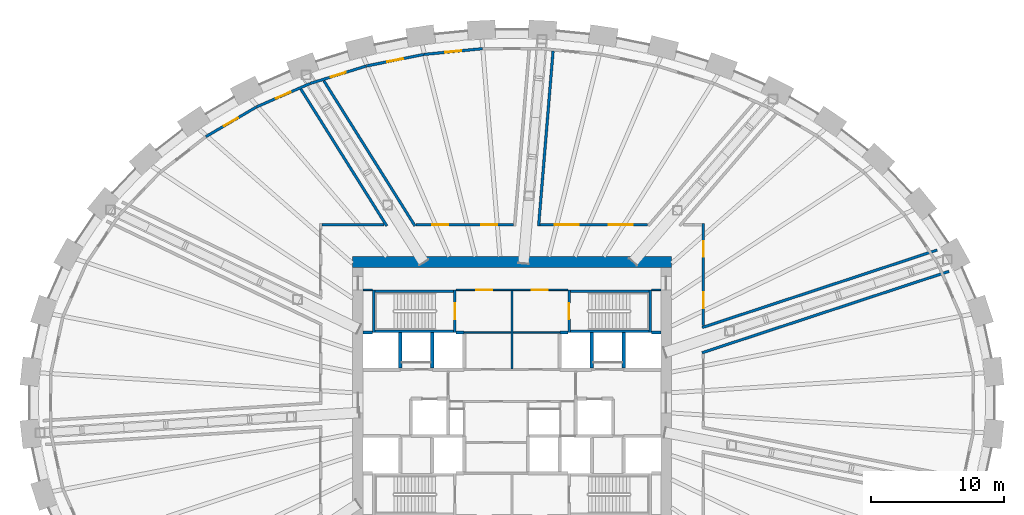
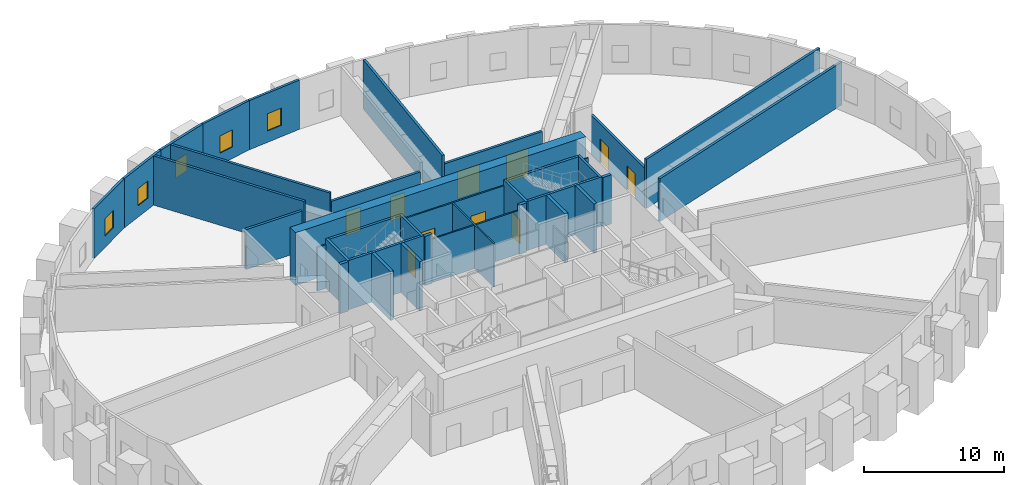
# One storey, part 10 of 13: 36 walls, 10 doors, 5 windows, 15 openings.
"""IFC4 building model written with IfcOpenShell, lengths in metres."""

from ifc_helpers import new_model, si_unit, direction, frame, frame_2d, origin, place, context, subcontext, project, spatial, rectangle, extrude, source, transform, mapped, material, layer, layer_set, type_object, element, fill, save


model = new_model("IFC4")

# Units and contexts
model_context = context("Model", 3, precision=1e-05, world=origin(), true_north=direction((0.0, 1.0)))
body_context = subcontext(model_context, "Body", "Model", "MODEL_VIEW")
ifc_project = project(units=[si_unit("LENGTHUNIT", "METRE"), si_unit("AREAUNIT", "SQUARE_METRE"), si_unit("VOLUMEUNIT", "CUBIC_METRE"), si_unit("PLANEANGLEUNIT", "RADIAN"), si_unit("MASSUNIT", "GRAM", prefix="KILO")], contexts=[model_context])

# Site, building, storey
site_placement = place(None, origin())
site = spatial("IfcSite", under=ifc_project, at=site_placement, CompositionType="ELEMENT")
building_placement = place(site_placement, origin())
building = spatial("IfcBuilding", under=site, at=building_placement, Name="Embergate Tower", CompositionType="ELEMENT")
storey_placement = place(building_placement, frame((0.0, 0.0, 195.0)))
storey = spatial("IfcBuildingStorey", under=building, at=storey_placement, Name="L44", CompositionType="ELEMENT", Elevation=195.0)

# Wall
ifc_material_1 = material(Name="Concrete C70", Category="concrete")
ifc_layer_1 = layer(ifc_material_1, 0.800048828125)
ifc_layer_set_1 = layer_set([ifc_layer_1], Name="Concrete C70")
wall_type_1 = type_object("IfcWallType", Name="Core outer wall C70 800", PredefinedType="SHEAR", material=ifc_layer_set_1)
shared_shape_1 = source(origin(), body_context, "Body", "SweptSolid", [
    extrude(rectangle(XDim=24.0, YDim=0.800048828125, at=frame_2d((12.0, 0.0))), origin(), (0.0, 0.0, 1.0), 4.60009765625),
])
wall_1_placement = place(storey_placement, frame((-12.0, 10.60009765625, -0.300048828125), z_axis=(0.0, 0.0, 1.0), x_axis=(1.0, 0.0, 0.0)))
element("IfcWall", 1, at=wall_1_placement, inside=storey, type_object=wall_type_1, Name="CW-L44-N", PredefinedType="SHEAR", context=body_context, shape_type="MappedRepresentation", body=[
    mapped(shared_shape_1, transform((0.0, 0.0, 0.0))),
])

# Wall, opening, window
ifc_material_2 = material(Name="Terracotta louvre cladding on insulated backing", Category="masonry")
ifc_layer_2 = layer(ifc_material_2, 0.199951171875)
ifc_layer_set_2 = layer_set([ifc_layer_2], Name="Terracotta louvre cladding on insulated backing")
wall_type_2 = type_object("IfcWallType", Name="Terracotta louvre wall", PredefinedType="SOLIDWALL", material=ifc_layer_set_2)
shared_shape_2 = source(origin(), body_context, "Body", "SweptSolid", [
    extrude(rectangle(XDim=4.398193359375, YDim=0.199951171875, at=frame_2d((2.19921875, 0.0))), origin(), (0.0, 0.0, 1.0), 4.300048828125),
])
wall_2_placement = place(storey_placement, frame((-23.043212890625, 20.029541015625, 0.0), z_axis=(0.0, 0.0, 1.0), x_axis=(0.862038363545, 0.506843032681, 0.0)))
wall_2 = element("IfcWall", 2, at=wall_2_placement, inside=storey, type_object=wall_type_2, Name="Louvre wall 16", PredefinedType="SOLIDWALL", context=body_context, shape_type="MappedRepresentation", body=[
    mapped(shared_shape_2, transform((0.0, 0.0, 0.0))),
])
shared_shape_3 = source(origin(), body_context, "Body", "SweptSolid", [
    extrude(rectangle(XDim=1.199951171875, YDim=1.5, at=frame_2d((0.60009765625, 0.75))), frame((0.0, 0.10986328125, 0.0), z_axis=(0.0, -1.0, 0.0), x_axis=(1.0, 0.0, 0.0)), (0.0, 0.0, 1.0), 0.219970703125),
])
opening_1_placement = place(wall_2_placement, frame((1.59912109375, 0.0, 1.0)))
opening_1 = element("IfcOpeningElement", 3, at=opening_1_placement, cuts=wall_2, Name="Opening RW", PredefinedType="OPENING", context=body_context, shape_type="MappedRepresentation", body=[
    mapped(shared_shape_3, transform((0.0, 0.0, 0.0))),
])
ifc_material_3 = material(Name="Aluminium, thermally broken, triple glazed", Category="aluminium")
window_type = type_object("IfcWindowType", Name="Refuge operable window", PartitioningType="SINGLE_PANEL", PredefinedType="WINDOW", material=ifc_material_3)
shared_shape_4 = source(origin(), body_context, "Body", "SweptSolid", [
    extrude(rectangle(XDim=1.199951171875, YDim=1.5, at=frame_2d((0.60009765625, 0.75))), frame((0.0, 0.030029296875, 0.0), z_axis=(0.0, -1.0, 0.0), x_axis=(1.0, 0.0, 0.0)), (0.0, 0.0, 1.0), 0.06005859375),
])
window_1_placement = place(opening_1_placement, origin())
window_1 = element("IfcWindow", 4, at=window_1_placement, inside=storey, type_object=window_type, Name="Refuge window 16", OverallHeight=1.5, OverallWidth=1.199951171875, PartitioningType="SINGLE_PANEL", PredefinedType="WINDOW", context=body_context, shape_type="MappedRepresentation", body=[
    mapped(shared_shape_4, transform((0.0, 0.0, 0.0))),
])
fill(opening_1, window_1)

shared_shape_5 = source(origin(), body_context, "Body", "SweptSolid", [
    extrude(rectangle(XDim=4.402587890625, YDim=0.199951171875, at=frame_2d((2.201171875, 0.0))), origin(), (0.0, 0.0, 1.0), 4.300048828125),
])
wall_3_placement = place(storey_placement, frame((-19.23388671875, 22.267822265625, 0.0), z_axis=(0.0, 0.0, 1.0), x_axis=(0.916226049161, 0.400661736181, 0.0)))
wall_3 = element("IfcWall", 5, at=wall_3_placement, inside=storey, type_object=wall_type_2, Name="Louvre wall 15", PredefinedType="SOLIDWALL", context=body_context, shape_type="MappedRepresentation", body=[
    mapped(shared_shape_5, transform((0.0, 0.0, 0.0))),
])
opening_2_placement = place(wall_3_placement, frame((1.601318359375, 0.0, 1.0)))
opening_2 = element("IfcOpeningElement", 6, at=opening_2_placement, cuts=wall_3, Name="Opening RW", PredefinedType="OPENING", context=body_context, shape_type="MappedRepresentation", body=[
    mapped(shared_shape_3, transform((0.0, 0.0, 0.0))),
])
window_2_placement = place(opening_2_placement, origin())
window_2 = element("IfcWindow", 7, at=window_2_placement, inside=storey, type_object=window_type, Name="Refuge window 15", OverallHeight=1.5, OverallWidth=1.199951171875, PartitioningType="SINGLE_PANEL", PredefinedType="WINDOW", context=body_context, shape_type="MappedRepresentation", body=[
    mapped(shared_shape_4, transform((0.0, 0.0, 0.0))),
])
fill(opening_2, window_2)

shared_shape_6 = source(origin(), body_context, "Body", "SweptSolid", [
    extrude(rectangle(XDim=4.406005859375, YDim=0.199951171875, at=frame_2d((2.203125, 0.0))), origin(), (0.0, 0.0, 1.0), 4.300048828125),
])
wall_4_placement = place(storey_placement, frame((-15.181396484375, 24.038818359375, 0.0), z_axis=(0.0, 0.0, 1.0), x_axis=(0.954774310251, 0.297331492589, 0.0)))
wall_4 = element("IfcWall", 8, at=wall_4_placement, inside=storey, type_object=wall_type_2, Name="Louvre wall 14", PredefinedType="SOLIDWALL", context=body_context, shape_type="MappedRepresentation", body=[
    mapped(shared_shape_6, transform((0.0, 0.0, 0.0))),
])
opening_3_placement = place(wall_4_placement, frame((1.60302734375, 0.0, 1.0)))
opening_3 = element("IfcOpeningElement", 9, at=opening_3_placement, cuts=wall_4, Name="Opening RW", PredefinedType="OPENING", context=body_context, shape_type="MappedRepresentation", body=[
    mapped(shared_shape_3, transform((0.0, 0.0, 0.0))),
])
window_3_placement = place(opening_3_placement, origin())
window_3 = element("IfcWindow", 10, at=window_3_placement, inside=storey, type_object=window_type, Name="Refuge window 14", OverallHeight=1.5, OverallWidth=1.199951171875, PartitioningType="SINGLE_PANEL", PredefinedType="WINDOW", context=body_context, shape_type="MappedRepresentation", body=[
    mapped(shared_shape_4, transform((0.0, 0.0, 0.0))),
])
fill(opening_3, window_3)

shared_shape_7 = source(origin(), body_context, "Body", "SweptSolid", [
    extrude(rectangle(XDim=4.408447265625, YDim=0.199951171875, at=frame_2d((2.2041015625, 0.0))), origin(), (0.0, 0.0, 1.0), 4.300048828125),
])
wall_5_placement = place(storey_placement, frame((-10.955322265625, 25.353759765625, 0.0), z_axis=(0.0, 0.0, 1.0), x_axis=(0.980471892556, 0.196659268553, 0.0)))
wall_5 = element("IfcWall", 11, at=wall_5_placement, inside=storey, type_object=wall_type_2, Name="Louvre wall 13", PredefinedType="SOLIDWALL", context=body_context, shape_type="MappedRepresentation", body=[
    mapped(shared_shape_7, transform((0.0, 0.0, 0.0))),
])
opening_4_placement = place(wall_5_placement, frame((1.60400390625, 0.0, 1.0)))
opening_4 = element("IfcOpeningElement", 12, at=opening_4_placement, cuts=wall_5, Name="Opening RW", PredefinedType="OPENING", context=body_context, shape_type="MappedRepresentation", body=[
    mapped(shared_shape_3, transform((0.0, 0.0, 0.0))),
])
window_4_placement = place(opening_4_placement, origin())
window_4 = element("IfcWindow", 13, at=window_4_placement, inside=storey, type_object=window_type, Name="Refuge window 13", OverallHeight=1.5, OverallWidth=1.199951171875, PartitioningType="SINGLE_PANEL", PredefinedType="WINDOW", context=body_context, shape_type="MappedRepresentation", body=[
    mapped(shared_shape_4, transform((0.0, 0.0, 0.0))),
])
fill(opening_4, window_4)

shared_shape_8 = source(origin(), body_context, "Body", "SweptSolid", [
    extrude(rectangle(XDim=4.40966796875, YDim=0.199951171875, at=frame_2d((2.204833984375, 0.0))), origin(), (0.0, 0.0, 1.0), 4.300048828125),
])
wall_6_placement = place(storey_placement, frame((-6.61328125, 26.2236328125, 0.0), z_axis=(0.0, 0.0, 1.0), x_axis=(0.99520836883, 0.097776799964, 0.0)))
wall_6 = element("IfcWall", 14, at=wall_6_placement, inside=storey, type_object=wall_type_2, Name="Louvre wall 12", PredefinedType="SOLIDWALL", context=body_context, shape_type="MappedRepresentation", body=[
    mapped(shared_shape_8, transform((0.0, 0.0, 0.0))),
])
opening_5_placement = place(wall_6_placement, frame((1.604736328125, 0.0, 1.0)))
opening_5 = element("IfcOpeningElement", 15, at=opening_5_placement, cuts=wall_6, Name="Opening RW", PredefinedType="OPENING", context=body_context, shape_type="MappedRepresentation", body=[
    mapped(shared_shape_3, transform((0.0, 0.0, 0.0))),
])
window_5_placement = place(opening_5_placement, origin())
window_5 = element("IfcWindow", 16, at=window_5_placement, inside=storey, type_object=window_type, Name="Refuge window 12", OverallHeight=1.5, OverallWidth=1.199951171875, PartitioningType="SINGLE_PANEL", PredefinedType="WINDOW", context=body_context, shape_type="MappedRepresentation", body=[
    mapped(shared_shape_4, transform((0.0, 0.0, 0.0))),
])
fill(opening_5, window_5)

# Walls
ifc_material_4 = material(Name="Concrete C50", Category="concrete")
ifc_layer_3 = layer(ifc_material_4, 0.25)
ifc_layer_set_3 = layer_set([ifc_layer_3], Name="Concrete C50")
wall_type_3 = type_object("IfcWallType", Name="Hoistway wall reinforced concrete 250", PredefinedType="SHEAR", material=ifc_layer_set_3)
shared_shape_9 = source(origin(), body_context, "Body", "SweptSolid", [
    extrude(rectangle(XDim=2.675048828125, YDim=0.25, at=frame_2d((1.33740234375, 0.0))), origin(), (0.0, 0.0, 1.0), 4.300048828125),
])
for number, where, z_axis, x_axis, name in (
    (17, (-8.39990234375, 2.625, 0.0), (0.0, 0.0, 1.0), (0.0, 1.0, 0.0), "HW-1 wall"),
    (18, (-6.0, 2.625, 0.0), (0.0, 0.0, 1.0), (0.0, 1.0, 0.0), "HW-1 wall"),
    (19, (6.0, 2.625, 0.0), (0.0, 0.0, 1.0), (0.0, 1.0, 0.0), "HW-1 wall"),
    (20, (8.39990234375, 2.625, 0.0), (0.0, 0.0, 1.0), (0.0, 1.0, 0.0), "HW-1 wall"),
):
    element("IfcWall", number, at=place(storey_placement, frame(where, z_axis=z_axis, x_axis=x_axis)), inside=storey, type_object=wall_type_3, Name=name, PredefinedType="SHEAR", context=body_context, shape_type="MappedRepresentation", body=[
        mapped(shared_shape_9, transform((0.0, 0.0, 0.0))),
    ])
ifc_layer_4 = layer(ifc_material_4, 0.199951171875)
ifc_layer_set_4 = layer_set([ifc_layer_4], Name="Concrete C50")
wall_type_4 = type_object("IfcWallType", Name="Stair enclosure wall reinforced concrete 250", PredefinedType="SHEAR", material=ifc_layer_set_4)
shared_shape_10 = source(origin(), body_context, "Body", "SweptSolid", [
    extrude(rectangle(XDim=6.300048828125, YDim=0.199951171875, at=frame_2d((3.14990234375, 0.0))), origin(), (0.0, 0.0, 1.0), 4.300048828125),
])
for number, where, z_axis, x_axis, name in (
    (21, (-4.199951171875, 5.39990234375, 0.0), (0.0, 0.0, 1.0), (-1.0, 0.0, 0.0), "SE-1 wall"),
    (22, (10.5, 5.39990234375, 0.0), (0.0, 0.0, 1.0), (-1.0, 0.0, 0.0), "SE-1 wall"),
    (23, (-4.199951171875, 8.39990234375, 0.0), (0.0, 0.0, 1.0), (-1.0, 0.0, 0.0), "SE-1 wall"),
    (24, (10.5, 8.39990234375, 0.0), (0.0, 0.0, 1.0), (-1.0, 0.0, 0.0), "SE-1 wall"),
):
    element("IfcWall", number, at=place(storey_placement, frame(where, z_axis=z_axis, x_axis=x_axis)), inside=storey, type_object=wall_type_4, Name=name, PredefinedType="SHEAR", context=body_context, shape_type="MappedRepresentation", body=[
        mapped(shared_shape_10, transform((0.0, 0.0, 0.0))),
    ])

# Wall, opening, door
shared_shape_11 = source(origin(), body_context, "Body", "SweptSolid", [
    extrude(rectangle(XDim=3.199951171875, YDim=0.199951171875, at=frame_2d((1.60009765625, 0.0))), origin(), (0.0, 0.0, 1.0), 4.300048828125),
])
wall_7_placement = place(storey_placement, frame((-4.300048828125, 5.300048828125, 0.0), z_axis=(0.0, 0.0, 1.0), x_axis=(0.0, 1.0, 0.0)))
wall_7 = element("IfcWall", 25, at=wall_7_placement, inside=storey, type_object=wall_type_4, Name="SE-1 wall", PredefinedType="SHEAR", context=body_context, shape_type="MappedRepresentation", body=[
    mapped(shared_shape_11, transform((0.0, 0.0, 0.0))),
])
shared_shape_12 = source(origin(), body_context, "Body", "SweptSolid", [
    extrude(rectangle(XDim=1.199951171875, YDim=2.10009765625, at=frame_2d((0.60009765625, 1.050048828125))), frame((0.0, 0.10986328125, 0.0), z_axis=(0.0, -1.0, 0.0), x_axis=(1.0, 0.0, 0.0)), (0.0, 0.0, 1.0), 0.219970703125),
])
opening_6_placement = place(wall_7_placement, frame((1.0, 0.0, 0.0)))
opening_6 = element("IfcOpeningElement", 26, at=opening_6_placement, cuts=wall_7, Name="Opening IF-2", PredefinedType="OPENING", context=body_context, shape_type="MappedRepresentation", body=[
    mapped(shared_shape_12, transform((0.0, 0.0, 0.0))),
])
ifc_material_5 = material(Name="Stair enclosure door 1200")
door_type_1 = type_object("IfcDoorType", Name="Stair enclosure door 1200", OperationType="SINGLE_SWING_LEFT", PredefinedType="DOOR", material=ifc_material_5)
shared_shape_13 = source(origin(), body_context, "Body", "SweptSolid", [
    extrude(rectangle(XDim=1.199951171875, YDim=2.10009765625, at=frame_2d((0.60009765625, 1.050048828125))), frame((0.0, 0.02490234375, 0.0), z_axis=(0.0, -1.0, 0.0), x_axis=(1.0, 0.0, 0.0)), (0.0, 0.0, 1.0), 0.050048828125),
])
door_1_placement = place(opening_6_placement, origin())
door_1 = element("IfcDoor", 27, at=door_1_placement, inside=storey, type_object=door_type_1, Name="IF-2 door", OperationType="SINGLE_SWING_LEFT", OverallHeight=2.10009765625, OverallWidth=1.199951171875, PredefinedType="DOOR", context=body_context, shape_type="MappedRepresentation", body=[
    mapped(shared_shape_13, transform((0.0, 0.0, 0.0))),
])
fill(opening_6, door_1)

wall_8_placement = place(storey_placement, frame((4.300048828125, 8.5, 0.0), z_axis=(0.0, 0.0, 1.0), x_axis=(0.0, -1.0, 0.0)))
wall_8 = element("IfcWall", 28, at=wall_8_placement, inside=storey, type_object=wall_type_4, Name="SE-1 wall", PredefinedType="SHEAR", context=body_context, shape_type="MappedRepresentation", body=[
    mapped(shared_shape_11, transform((0.0, 0.0, 0.0))),
])
opening_7_placement = place(wall_8_placement, frame((1.0, 0.0, 0.0)))
opening_7 = element("IfcOpeningElement", 29, at=opening_7_placement, cuts=wall_8, Name="Opening IF-2", PredefinedType="OPENING", context=body_context, shape_type="MappedRepresentation", body=[
    mapped(shared_shape_12, transform((0.0, 0.0, 0.0))),
])
door_2_placement = place(opening_7_placement, origin())
door_2 = element("IfcDoor", 30, at=door_2_placement, inside=storey, type_object=door_type_1, Name="IF-2 door", OperationType="SINGLE_SWING_RIGHT", OverallHeight=2.10009765625, OverallWidth=1.199951171875, PredefinedType="DOOR", context=body_context, shape_type="MappedRepresentation", body=[
    mapped(shared_shape_13, transform((0.0, 0.0, 0.0))),
])
fill(opening_7, door_2)

# Wall, openings, doors
ifc_material_6 = material(Name="Core partition blockwork 120")
ifc_layer_5 = layer(ifc_material_6, 0.1201171875)
ifc_layer_set_5 = layer_set([ifc_layer_5], Name="Core partition blockwork 120")
wall_type_5 = type_object("IfcWallType", Name="Core partition blockwork 120", PredefinedType="PARTITIONING", material=ifc_layer_set_5)
shared_shape_14 = source(origin(), body_context, "Body", "SweptSolid", [
    extrude(rectangle(XDim=8.39990234375, YDim=0.1201171875, at=frame_2d((4.199951171875, 0.0))), origin(), (0.0, 0.0, 1.0), 3.800048828125),
])
wall_9_placement = place(storey_placement, frame((4.199951171875, 8.5, 0.0), z_axis=(0.0, 0.0, 1.0), x_axis=(-1.0, 0.0, 0.0)))
wall_9 = element("IfcWall", 31, at=wall_9_placement, inside=storey, type_object=wall_type_5, Name="IP-3 wall", PredefinedType="PARTITIONING", context=body_context, shape_type="MappedRepresentation", body=[
    mapped(shared_shape_14, transform((0.0, 0.0, 0.0))),
])
shared_shape_15 = source(origin(), body_context, "Body", "SweptSolid", [
    extrude(rectangle(XDim=1.199951171875, YDim=2.10009765625, at=frame_2d((0.60009765625, 1.050048828125))), frame((0.0, 0.070068359375, 0.0), z_axis=(0.0, -1.0, 0.0), x_axis=(1.0, 0.0, 0.0)), (0.0, 0.0, 1.0), 0.14013671875),
])
opening_8_placement = place(wall_9_placement, frame((5.699951171875, 0.0, 0.0)))
opening_8 = element("IfcOpeningElement", 32, at=opening_8_placement, cuts=wall_9, Name="Opening IF-3f", PredefinedType="OPENING", context=body_context, shape_type="MappedRepresentation", body=[
    mapped(shared_shape_15, transform((0.0, 0.0, 0.0))),
])
opening_9_placement = place(wall_9_placement, frame((1.5, 0.0, 0.0)))
opening_9 = element("IfcOpeningElement", 33, at=opening_9_placement, cuts=wall_9, Name="Opening IF-3f", PredefinedType="OPENING", context=body_context, shape_type="MappedRepresentation", body=[
    mapped(shared_shape_15, transform((0.0, 0.0, 0.0))),
])
ifc_material_7 = material(Name="Lobby fire door pair 1200")
door_type_2 = type_object("IfcDoorType", Name="Lobby fire door pair 1200", OperationType="DOUBLE_DOOR_SINGLE_SWING", PredefinedType="DOOR", material=ifc_material_7)
door_3_placement = place(opening_8_placement, origin())
door_3 = element("IfcDoor", 34, at=door_3_placement, inside=storey, type_object=door_type_2, Name="IF-3 door", OperationType="DOUBLE_DOOR_SINGLE_SWING", OverallHeight=2.10009765625, OverallWidth=1.199951171875, PredefinedType="DOOR", context=body_context, shape_type="MappedRepresentation", body=[
    mapped(shared_shape_13, transform((0.0, 0.0, 0.0))),
])
fill(opening_8, door_3)
door_4_placement = place(opening_9_placement, origin())
door_4 = element("IfcDoor", 35, at=door_4_placement, inside=storey, type_object=door_type_2, Name="IF-3 door", OperationType="DOUBLE_DOOR_SINGLE_SWING", OverallHeight=2.10009765625, OverallWidth=1.199951171875, PredefinedType="DOOR", context=body_context, shape_type="MappedRepresentation", body=[
    mapped(shared_shape_13, transform((0.0, 0.0, 0.0))),
])
fill(opening_9, door_4)

# Walls
shared_shape_16 = source(origin(), body_context, "Body", "SweptSolid", [
    extrude(rectangle(XDim=0.599853515625, YDim=0.25, at=frame_2d((0.2998046875, 0.0))), origin(), (0.0, 0.0, 1.0), 4.300048828125),
])
for number, where, z_axis, x_axis, name in (
    (36, (-3.60009765625, 5.300048828125, 0.0), (0.0, 0.0, 1.0), (-1.0, 0.0, 0.0), "HW-1 wall"),
    (37, (4.199951171875, 5.300048828125, 0.0), (0.0, 0.0, 1.0), (-1.0, 0.0, 0.0), "HW-1 wall"),
):
    element("IfcWall", number, at=place(storey_placement, frame(where, z_axis=z_axis, x_axis=x_axis)), inside=storey, type_object=wall_type_3, Name=name, PredefinedType="SHEAR", context=body_context, shape_type="MappedRepresentation", body=[
        mapped(shared_shape_16, transform((0.0, 0.0, 0.0))),
    ])
shared_shape_17 = source(origin(), body_context, "Body", "SweptSolid", [
    extrude(rectangle(XDim=7.2001953125, YDim=0.1201171875, at=frame_2d((3.60009765625, 0.0))), origin(), (0.0, 0.0, 1.0), 3.800048828125),
])
wall_10_placement = place(storey_placement, frame((-3.60009765625, 5.300048828125, 0.0), z_axis=(0.0, 0.0, 1.0), x_axis=(1.0, 0.0, 0.0)))
element("IfcWall", 38, at=wall_10_placement, inside=storey, type_object=wall_type_5, Name="IP-3 wall", PredefinedType="PARTITIONING", context=body_context, shape_type="MappedRepresentation", body=[
    mapped(shared_shape_17, transform((0.0, 0.0, 0.0))),
])
shared_shape_18 = source(origin(), body_context, "Body", "SweptSolid", [
    extrude(rectangle(XDim=5.8798828125, YDim=0.1201171875, at=frame_2d((2.93994140625, 0.0))), origin(), (0.0, 0.0, 1.0), 3.800048828125),
])
wall_11_placement = place(storey_placement, frame((0.0, 2.56005859375, 0.0), z_axis=(0.0, 0.0, 1.0), x_axis=(0.0, 1.0, 0.0)))
element("IfcWall", 39, at=wall_11_placement, inside=storey, type_object=wall_type_5, Name="IP-3 wall", PredefinedType="PARTITIONING", context=body_context, shape_type="MappedRepresentation", body=[
    mapped(shared_shape_18, transform((0.0, 0.0, 0.0))),
])
shared_shape_19 = source(origin(), body_context, "Body", "SweptSolid", [
    extrude(rectangle(XDim=3.196044921875, YDim=0.199951171875, at=frame_2d((1.59814453125, 0.0))), origin(), (0.0, 0.0, 1.0), 4.300048828125),
])
for number, where, z_axis, x_axis, name in (
    (40, (-10.39990234375, 8.498046875, 0.0), (0.0, 0.0, 1.0), (0.0, -1.0, 0.0), "SE-1 wall"),
    (41, (10.39990234375, 5.302001953125, 0.0), (0.0, 0.0, 1.0), (0.0, 1.0, 0.0), "SE-1 wall"),
):
    element("IfcWall", number, at=place(storey_placement, frame(where, z_axis=z_axis, x_axis=x_axis)), inside=storey, type_object=wall_type_4, Name=name, PredefinedType="SHEAR", context=body_context, shape_type="MappedRepresentation", body=[
        mapped(shared_shape_19, transform((0.0, 0.0, 0.0))),
    ])
shared_shape_20 = source(origin(), body_context, "Body", "SweptSolid", [
    extrude(rectangle(XDim=0.697998046875, YDim=0.25, at=frame_2d((0.34912109375, 0.0))), origin(), (0.0, 0.0, 1.0), 4.300048828125),
])
for number, where, z_axis, x_axis, name in (
    (42, (-10.501953125, 5.300048828125, 0.0), (0.0, 0.0, 1.0), (-1.0, 0.0, 0.0), "HW-1 wall"),
    (43, (11.199951171875, 5.300048828125, 0.0), (0.0, 0.0, 1.0), (-1.0, 0.0, 0.0), "HW-1 wall"),
):
    element("IfcWall", number, at=place(storey_placement, frame(where, z_axis=z_axis, x_axis=x_axis)), inside=storey, type_object=wall_type_3, Name=name, PredefinedType="SHEAR", context=body_context, shape_type="MappedRepresentation", body=[
        mapped(shared_shape_20, transform((0.0, 0.0, 0.0))),
    ])
shared_shape_21 = source(origin(), body_context, "Body", "SweptSolid", [
    extrude(rectangle(XDim=0.697998046875, YDim=0.1201171875, at=frame_2d((0.34912109375, 0.0))), origin(), (0.0, 0.0, 1.0), 3.800048828125),
])
for number, where, z_axis, x_axis, name in (
    (44, (10.501953125, 8.5, 0.0), (0.0, 0.0, 1.0), (1.0, 0.0, 0.0), "IP-3 wall"),
    (45, (-11.199951171875, 8.5, 0.0), (0.0, 0.0, 1.0), (1.0, 0.0, 0.0), "IP-3 wall"),
):
    element("IfcWall", number, at=place(storey_placement, frame(where, z_axis=z_axis, x_axis=x_axis)), inside=storey, type_object=wall_type_5, Name=name, PredefinedType="PARTITIONING", context=body_context, shape_type="MappedRepresentation", body=[
        mapped(shared_shape_21, transform((0.0, 0.0, 0.0))),
    ])
ifc_material_8 = material(Name="Blockwork, plastered", Category="masonry")
ifc_layer_6 = layer(ifc_material_8, 0.199951171875)
ifc_layer_set_6 = layer_set([ifc_layer_6], Name="Blockwork, plastered")
wall_type_6 = type_object("IfcWallType", Name="Fire partition wall 200 block", PredefinedType="PARTITIONING", material=ifc_layer_set_6)
shared_shape_22 = source(origin(), body_context, "Body", "SweptSolid", [
    extrude(rectangle(XDim=12.171142578125, YDim=0.199951171875, at=frame_2d((6.08544921875, 0.0))), origin(), (0.0, 0.0, 1.0), 4.300048828125),
])
wall_12_placement = place(storey_placement, frame((-15.89794921875, 23.6220703125, 0.0), z_axis=(0.0, 0.0, 1.0), x_axis=(0.531826013137, -0.846853642462, 0.0)))
element("IfcWall", 46, at=wall_12_placement, inside=storey, type_object=wall_type_6, Name="Partition 004", PredefinedType="PARTITIONING", context=body_context, shape_type="MappedRepresentation", body=[
    mapped(shared_shape_22, transform((0.0, 0.0, 0.0))),
])
shared_shape_23 = source(origin(), body_context, "Body", "SweptSolid", [
    extrude(rectangle(XDim=4.652099609375, YDim=0.199951171875, at=frame_2d((2.326171875, 0.0))), origin(), (0.0, 0.0, 1.0), 3.5),
])
wall_13_placement = place(storey_placement, frame((-14.300048828125, 13.39990234375, 0.0), z_axis=(0.0, 0.0, 1.0), x_axis=(1.0, 0.0, 0.0)))
element("IfcWall", 47, at=wall_13_placement, inside=storey, type_object=wall_type_6, Name="Partition 012", PredefinedType="PARTITIONING", context=body_context, shape_type="MappedRepresentation", body=[
    mapped(shared_shape_23, transform((0.0, 0.0, 0.0))),
])
shared_shape_24 = source(origin(), body_context, "Body", "SweptSolid", [
    extrude(rectangle(XDim=12.90478515625, YDim=0.199951171875, at=frame_2d((6.452392578125, 0.0))), origin(), (0.0, 0.0, 1.0), 4.300048828125),
])
wall_14_placement = place(storey_placement, frame((-7.300048828125, 13.31494140625, 0.0), z_axis=(0.0, 0.0, 1.0), x_axis=(-0.531893716783, 0.846811120644, 0.0)))
element("IfcWall", 48, at=wall_14_placement, inside=storey, type_object=wall_type_6, Name="Partition 014", PredefinedType="PARTITIONING", context=body_context, shape_type="MappedRepresentation", body=[
    mapped(shared_shape_24, transform((0.0, 0.0, 0.0))),
])

# Wall, openings, doors
shared_shape_25 = source(origin(), body_context, "Body", "SweptSolid", [
    extrude(rectangle(XDim=7.326904296875, YDim=0.199951171875, at=frame_2d((3.66357421875, 0.0))), origin(), (0.0, 0.0, 1.0), 3.5),
])
wall_15_placement = place(storey_placement, frame((-7.222900390625, 13.39990234375, 0.0), z_axis=(0.0, 0.0, 1.0), x_axis=(1.0, 0.0, 0.0)))
wall_15 = element("IfcWall", 49, at=wall_15_placement, inside=storey, type_object=wall_type_6, Name="Partition 015", PredefinedType="PARTITIONING", context=body_context, shape_type="MappedRepresentation", body=[
    mapped(shared_shape_25, transform((0.0, 0.0, 0.0))),
])
opening_10_placement = place(wall_15_placement, frame((1.23193359375, 0.0, 0.0)))
opening_10 = element("IfcOpeningElement", 50, at=opening_10_placement, cuts=wall_15, Name="Opening DS-205", PredefinedType="OPENING", context=body_context, shape_type="MappedRepresentation", body=[
    mapped(shared_shape_12, transform((0.0, 0.0, 0.0))),
])
opening_11_placement = place(wall_15_placement, frame((4.89501953125, 0.0, 0.0)))
opening_11 = element("IfcOpeningElement", 51, at=opening_11_placement, cuts=wall_15, Name="Opening DS-206", PredefinedType="OPENING", context=body_context, shape_type="MappedRepresentation", body=[
    mapped(shared_shape_12, transform((0.0, 0.0, 0.0))),
])
ifc_material_9 = material(Name="Timber door leaf, steel frame", Category="steel")
door_type_3 = type_object("IfcDoorType", Name="Plant door 1200x2100", OperationType="SINGLE_SWING_LEFT", PredefinedType="DOOR", material=ifc_material_9)
shared_shape_26 = source(origin(), body_context, "Body", "SweptSolid", [
    extrude(rectangle(XDim=1.199951171875, YDim=2.10009765625, at=frame_2d((0.60009765625, 1.050048828125))), frame((0.0, 0.02490234375, 0.0), z_axis=(0.0, -1.0, 0.0), x_axis=(1.0, 0.0, 0.0)), (0.0, 0.0, 1.0), 0.050048828125),
])
door_5_placement = place(opening_10_placement, origin())
door_5 = element("IfcDoor", 52, at=door_5_placement, inside=storey, type_object=door_type_3, Name="Door to Chiller plant", OperationType="SINGLE_SWING_LEFT", OverallHeight=2.10009765625, OverallWidth=1.199951171875, PredefinedType="DOOR", context=body_context, shape_type="MappedRepresentation", body=[
    mapped(shared_shape_26, transform((0.0, 0.0, 0.0))),
])
fill(opening_10, door_5)
door_6_placement = place(opening_11_placement, origin())
door_6 = element("IfcDoor", 53, at=door_6_placement, inside=storey, type_object=door_type_3, Name="Door to Chiller plant", OperationType="SINGLE_SWING_LEFT", OverallHeight=2.10009765625, OverallWidth=1.199951171875, PredefinedType="DOOR", context=body_context, shape_type="MappedRepresentation", body=[
    mapped(shared_shape_26, transform((0.0, 0.0, 0.0))),
])
fill(opening_11, door_6)

# Wall
shared_shape_27 = source(origin(), body_context, "Body", "SweptSolid", [
    extrude(rectangle(XDim=13.23291015625, YDim=0.199951171875, at=frame_2d((6.616455078125, 0.0))), origin(), (0.0, 0.0, 1.0), 4.300048828125),
])
wall_16_placement = place(storey_placement, frame((2.001953125, 13.300048828125, 0.0), z_axis=(0.0, 0.0, 1.0), x_axis=(0.082303403557, 0.996607319742, 0.0)))
element("IfcWall", 54, at=wall_16_placement, inside=storey, type_object=wall_type_6, Name="Partition 019", PredefinedType="PARTITIONING", context=body_context, shape_type="MappedRepresentation", body=[
    mapped(shared_shape_27, transform((0.0, 0.0, 0.0))),
])

# Wall, openings, doors
shared_shape_28 = source(origin(), body_context, "Body", "SweptSolid", [
    extrude(rectangle(XDim=8.080810546875, YDim=0.199951171875, at=frame_2d((4.04052734375, 0.0))), origin(), (0.0, 0.0, 1.0), 3.5),
])
wall_17_placement = place(storey_placement, frame((2.110107421875, 13.39990234375, 0.0), z_axis=(0.0, 0.0, 1.0), x_axis=(1.0, 0.0, 0.0)))
wall_17 = element("IfcWall", 55, at=wall_17_placement, inside=storey, type_object=wall_type_6, Name="Partition 020", PredefinedType="PARTITIONING", context=body_context, shape_type="MappedRepresentation", body=[
    mapped(shared_shape_28, transform((0.0, 0.0, 0.0))),
])
shared_shape_29 = source(origin(), body_context, "Body", "SweptSolid", [
    extrude(rectangle(XDim=1.800048828125, YDim=2.39990234375, at=frame_2d((0.89990234375, 1.199951171875))), frame((0.0, 0.10986328125, 0.0), z_axis=(0.0, -1.0, 0.0), x_axis=(1.0, 0.0, 0.0)), (0.0, 0.0, 1.0), 0.219970703125),
])
opening_12_placement = place(wall_17_placement, frame((1.1201171875, 0.0, 0.0)))
opening_12 = element("IfcOpeningElement", 56, at=opening_12_placement, cuts=wall_17, Name="Opening DS-203", PredefinedType="OPENING", context=body_context, shape_type="MappedRepresentation", body=[
    mapped(shared_shape_29, transform((0.0, 0.0, 0.0))),
])
opening_13_placement = place(wall_17_placement, frame((5.160888671875, 0.0, 0.0)))
opening_13 = element("IfcOpeningElement", 57, at=opening_13_placement, cuts=wall_17, Name="Opening DS-204", PredefinedType="OPENING", context=body_context, shape_type="MappedRepresentation", body=[
    mapped(shared_shape_29, transform((0.0, 0.0, 0.0))),
])
door_type_4 = type_object("IfcDoorType", Name="Double door 1800x2400", OperationType="DOUBLE_DOOR_SINGLE_SWING", PredefinedType="DOOR", material=ifc_material_9)
shared_shape_30 = source(origin(), body_context, "Body", "SweptSolid", [
    extrude(rectangle(XDim=1.800048828125, YDim=2.39990234375, at=frame_2d((0.89990234375, 1.199951171875))), frame((0.0, 0.02490234375, 0.0), z_axis=(0.0, -1.0, 0.0), x_axis=(1.0, 0.0, 0.0)), (0.0, 0.0, 1.0), 0.050048828125),
])
door_7_placement = place(opening_12_placement, origin())
door_7 = element("IfcDoor", 58, at=door_7_placement, inside=storey, type_object=door_type_4, Name="Door to Refuge area", OperationType="SINGLE_SWING_LEFT", OverallHeight=2.39990234375, OverallWidth=1.800048828125, PredefinedType="DOOR", context=body_context, shape_type="MappedRepresentation", body=[
    mapped(shared_shape_30, transform((0.0, 0.0, 0.0))),
])
fill(opening_12, door_7)
door_8_placement = place(opening_13_placement, origin())
door_8 = element("IfcDoor", 59, at=door_8_placement, inside=storey, type_object=door_type_4, Name="Door to Refuge area", OperationType="SINGLE_SWING_LEFT", OverallHeight=2.39990234375, OverallWidth=1.800048828125, PredefinedType="DOOR", context=body_context, shape_type="MappedRepresentation", body=[
    mapped(shared_shape_30, transform((0.0, 0.0, 0.0))),
])
fill(opening_13, door_8)

# Wall
shared_shape_31 = source(origin(), body_context, "Body", "SweptSolid", [
    extrude(rectangle(XDim=19.571533203125, YDim=0.199951171875, at=frame_2d((9.78564453125, 0.0))), origin(), (0.0, 0.0, 1.0), 3.75),
])
wall_18_placement = place(storey_placement, frame((14.304931640625, 3.77001953125, 0.0), z_axis=(0.0, 0.0, 1.0), x_axis=(0.949702459219, 0.31315369861, 0.0)))
element("IfcWall", 60, at=wall_18_placement, inside=storey, type_object=wall_type_6, Name="Partition 031", PredefinedType="PARTITIONING", context=body_context, shape_type="MappedRepresentation", body=[
    mapped(shared_shape_31, transform((0.0, 0.0, 0.0))),
])

# Wall, openings, doors
shared_shape_32 = source(origin(), body_context, "Body", "SweptSolid", [
    extrude(rectangle(XDim=7.68310546875, YDim=0.199951171875, at=frame_2d((3.841552734375, 0.0))), origin(), (0.0, 0.0, 1.0), 3.39990234375),
])
wall_19_placement = place(storey_placement, frame((14.39990234375, 13.5, 0.0), z_axis=(0.0, 0.0, 1.0), x_axis=(0.0, -1.0, 0.0)))
wall_19 = element("IfcWall", 61, at=wall_19_placement, inside=storey, type_object=wall_type_6, Name="Partition 032", PredefinedType="PARTITIONING", context=body_context, shape_type="MappedRepresentation", body=[
    mapped(shared_shape_32, transform((0.0, 0.0, 0.0))),
])
opening_14_placement = place(wall_19_placement, frame((1.321044921875, 0.0, 0.0)))
opening_14 = element("IfcOpeningElement", 62, at=opening_14_placement, cuts=wall_19, Name="Opening DS-201", PredefinedType="OPENING", context=body_context, shape_type="MappedRepresentation", body=[
    mapped(shared_shape_12, transform((0.0, 0.0, 0.0))),
])
opening_15_placement = place(wall_19_placement, frame((5.162109375, 0.0, 0.0)))
opening_15 = element("IfcOpeningElement", 63, at=opening_15_placement, cuts=wall_19, Name="Opening DS-202", PredefinedType="OPENING", context=body_context, shape_type="MappedRepresentation", body=[
    mapped(shared_shape_12, transform((0.0, 0.0, 0.0))),
])
door_9_placement = place(opening_14_placement, origin())
door_9 = element("IfcDoor", 64, at=door_9_placement, inside=storey, type_object=door_type_3, Name="Door to Mechanical plant room", OperationType="SINGLE_SWING_LEFT", OverallHeight=2.10009765625, OverallWidth=1.199951171875, PredefinedType="DOOR", context=body_context, shape_type="MappedRepresentation", body=[
    mapped(shared_shape_26, transform((0.0, 0.0, 0.0))),
])
fill(opening_14, door_9)
door_10_placement = place(opening_15_placement, origin())
door_10 = element("IfcDoor", 65, at=door_10_placement, inside=storey, type_object=door_type_3, Name="Door to Mechanical plant room", OperationType="SINGLE_SWING_LEFT", OverallHeight=2.10009765625, OverallWidth=1.199951171875, PredefinedType="DOOR", context=body_context, shape_type="MappedRepresentation", body=[
    mapped(shared_shape_26, transform((0.0, 0.0, 0.0))),
])
fill(opening_15, door_10)

# Wall
shared_shape_33 = source(origin(), body_context, "Body", "SweptSolid", [
    extrude(rectangle(XDim=18.628173828125, YDim=0.199951171875, at=frame_2d((9.31396484375, 0.0))), origin(), (0.0, 0.0, 1.0), 4.300048828125),
])
wall_20_placement = place(storey_placement, frame((31.99609375, 11.5, 0.0), z_axis=(0.0, 0.0, 1.0), x_axis=(-0.949694113046, -0.313179008947, 0.0)))
element("IfcWall", 66, at=wall_20_placement, inside=storey, type_object=wall_type_6, Name="Partition 035", PredefinedType="PARTITIONING", context=body_context, shape_type="MappedRepresentation", body=[
    mapped(shared_shape_33, transform((0.0, 0.0, 0.0))),
])

save(model, "model.ifc")
